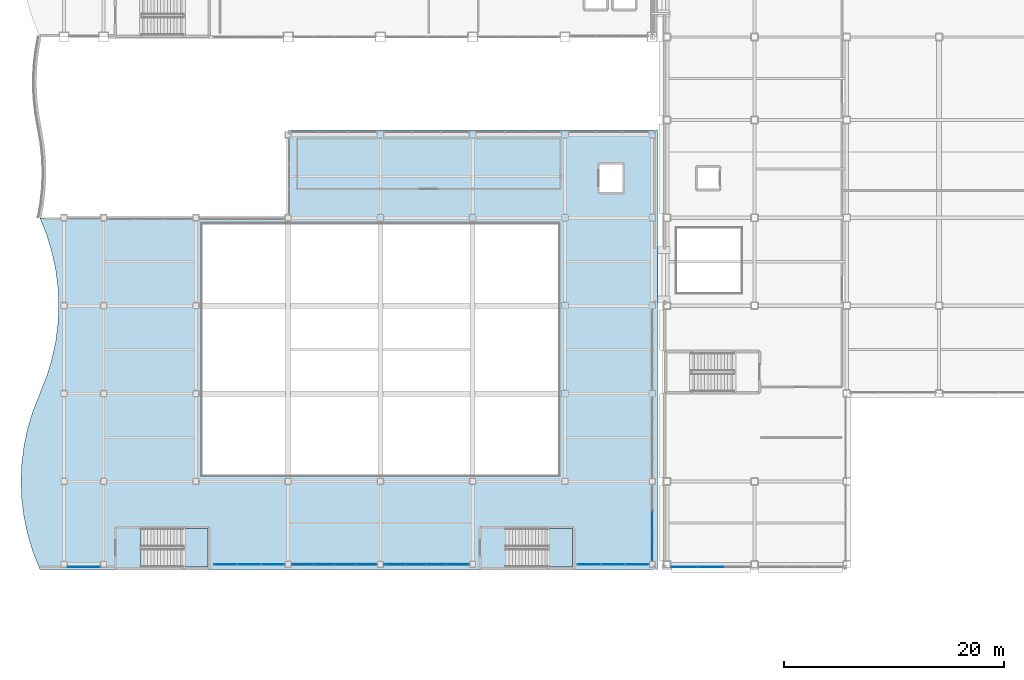
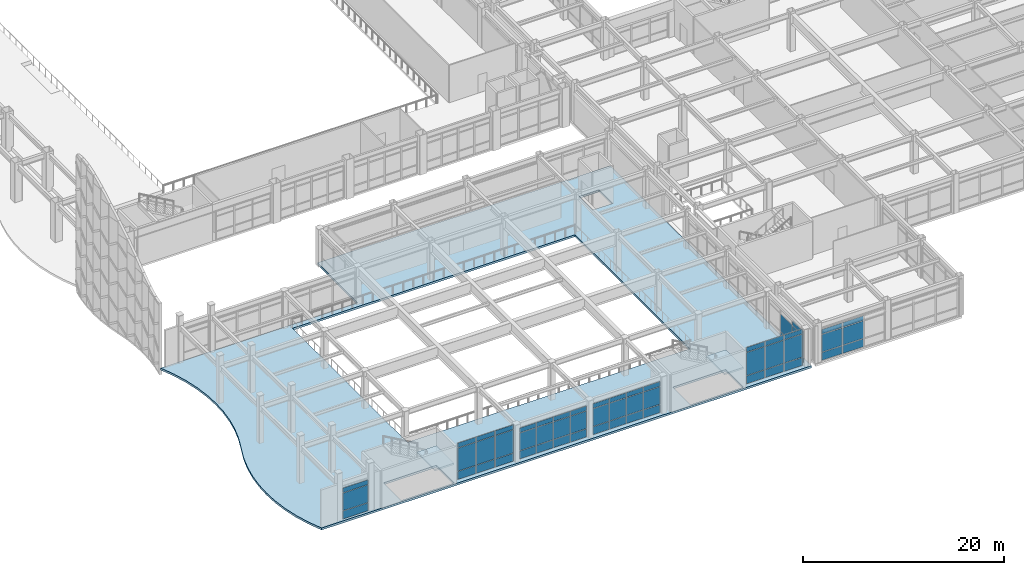
# One storey, part 123 of 172: 56 plates, 3 slabs, 9 elements without a shape of their own.
"""IFC4 building model written with IfcOpenShell, lengths in metres."""

from ifc_helpers import new_model, si_unit, direction, frame, origin, origin_2d, place, context, subcontext, project, spatial, polyline, rectangle, outline, extrude, material, layer, layer_set, type_object, element, aggregate, save


model = new_model("IFC4")

# Units and contexts
model_context = context("Model", 3, precision=1e-05, world=origin(), true_north=direction((0.0, 1.0)))
body_context = subcontext(model_context, "Body", "Model", "MODEL_VIEW")
ifc_project = project(units=[si_unit("LENGTHUNIT", "METRE"), si_unit("AREAUNIT", "SQUARE_METRE"), si_unit("VOLUMEUNIT", "CUBIC_METRE"), si_unit("PLANEANGLEUNIT", "RADIAN"), si_unit("MASSUNIT", "GRAM", prefix="KILO")], contexts=[model_context])

# Site, building, storey
site_placement = place(None, origin())
site = spatial("IfcSite", under=ifc_project, at=site_placement, CompositionType="ELEMENT")
building_placement = place(site_placement, origin())
building = spatial("IfcBuilding", under=site, at=building_placement, Name="Kazehara Bluff Congress Hotel", CompositionType="ELEMENT")
storey_placement = place(building_placement, frame((0.0, 0.0, 5.39990234375)))
storey = spatial("IfcBuildingStorey", under=building, at=storey_placement, Name="L01", CompositionType="ELEMENT", Elevation=5.39990234375)

# Curtain wall, plates
ifc_material_1 = material(Name="Anodised aluminium", Category="aluminium")
ifc_layer_1 = layer(ifc_material_1, 0.159912109375)
ifc_layer_set_1 = layer_set([ifc_layer_1], Name="Anodised aluminium")
curtain_wall_type_1 = type_object("IfcCurtainWallType", Name="TP-CW-29", PredefinedType="NOTDEFINED", material=ifc_layer_set_1)
curtain_wall_1_placement = place(storey_placement, origin())
curtain_wall_1 = element("IfcCurtainWall", 1, at=curtain_wall_1_placement, inside=storey, type_object=curtain_wall_type_1, Name="L01 curtain wall CW-29 CW-V2-L01-Y45-2550", PredefinedType="NOTDEFINED")
ifc_material_2 = material(Name="Insulated low-E double glazing", Category="glass")
ifc_layer_2 = layer(ifc_material_2, 0.028076171875)
ifc_layer_set_2 = layer_set([ifc_layer_2], Name="Insulated low-E double glazing")
plate_type_1 = type_object("IfcPlateType", Name="TP-CWP-01", PredefinedType="CURTAIN_PANEL", material=ifc_layer_set_2)
plate_1_placement = place(storey_placement, frame((26.4912109375, 0.449951171875, 0.06494140625), z_axis=(0.0, 0.0, 1.0), x_axis=(1.0, 0.0, 0.0)))
plate_1 = element("IfcPlate", 2, at=plate_1_placement, type_object=plate_type_1, Name="CW-29 panel 1.1", PredefinedType="CURTAIN_PANEL", context=body_context, shape_type="SweptSolid", body=[
    extrude(rectangle(XDim=1.8525390625, YDim=0.028076171875, at=origin_2d()), origin(), (0.0, 0.0, 1.0), 0.952392578125),
])
plate_2_placement = place(storey_placement, frame((26.4912109375, 0.449951171875, 1.08251953125), z_axis=(0.0, 0.0, 1.0), x_axis=(1.0, 0.0, 0.0)))
plate_2 = element("IfcPlate", 3, at=plate_2_placement, type_object=plate_type_1, Name="CW-29 panel 1.2", PredefinedType="CURTAIN_PANEL", context=body_context, shape_type="SweptSolid", body=[
    extrude(rectangle(XDim=1.8525390625, YDim=0.028076171875, at=origin_2d()), origin(), (0.0, 0.0, 1.0), 2.110107421875),
])
plate_3_placement = place(storey_placement, frame((26.4912109375, 0.449951171875, 3.2578125), z_axis=(0.0, 0.0, 1.0), x_axis=(1.0, 0.0, 0.0)))
plate_3 = element("IfcPlate", 4, at=plate_3_placement, type_object=plate_type_1, Name="CW-29 panel 1.3", PredefinedType="CURTAIN_PANEL", context=body_context, shape_type="SweptSolid", body=[
    extrude(rectangle(XDim=1.8525390625, YDim=0.028076171875, at=origin_2d()), origin(), (0.0, 0.0, 1.0), 0.552490234375),
])
plate_4_placement = place(storey_placement, frame((28.425048828125, 0.449951171875, 0.06494140625), z_axis=(0.0, 0.0, 1.0), x_axis=(1.0, 0.0, 0.0)))
plate_4 = element("IfcPlate", 5, at=plate_4_placement, type_object=plate_type_1, Name="CW-29 panel 2.1", PredefinedType="CURTAIN_PANEL", context=body_context, shape_type="SweptSolid", body=[
    extrude(rectangle(XDim=1.885009765625, YDim=0.028076171875, at=origin_2d()), origin(), (0.0, 0.0, 1.0), 0.952392578125),
])
plate_5_placement = place(storey_placement, frame((28.425048828125, 0.449951171875, 1.08251953125), z_axis=(0.0, 0.0, 1.0), x_axis=(1.0, 0.0, 0.0)))
plate_5 = element("IfcPlate", 6, at=plate_5_placement, type_object=plate_type_1, Name="CW-29 panel 2.2", PredefinedType="CURTAIN_PANEL", context=body_context, shape_type="SweptSolid", body=[
    extrude(rectangle(XDim=1.885009765625, YDim=0.028076171875, at=origin_2d()), origin(), (0.0, 0.0, 1.0), 2.110107421875),
])
plate_6_placement = place(storey_placement, frame((28.425048828125, 0.449951171875, 3.2578125), z_axis=(0.0, 0.0, 1.0), x_axis=(1.0, 0.0, 0.0)))
plate_6 = element("IfcPlate", 7, at=plate_6_placement, type_object=plate_type_1, Name="CW-29 panel 2.3", PredefinedType="CURTAIN_PANEL", context=body_context, shape_type="SweptSolid", body=[
    extrude(rectangle(XDim=1.885009765625, YDim=0.028076171875, at=origin_2d()), origin(), (0.0, 0.0, 1.0), 0.552490234375),
])
plate_7_placement = place(storey_placement, frame((30.375, 0.449951171875, 0.06494140625), z_axis=(0.0, 0.0, 1.0), x_axis=(1.0, 0.0, 0.0)))
plate_7 = element("IfcPlate", 8, at=plate_7_placement, type_object=plate_type_1, Name="CW-29 panel 3.1", PredefinedType="CURTAIN_PANEL", context=body_context, shape_type="SweptSolid", body=[
    extrude(rectangle(XDim=1.885009765625, YDim=0.028076171875, at=origin_2d()), origin(), (0.0, 0.0, 1.0), 0.952392578125),
])
plate_8_placement = place(storey_placement, frame((30.375, 0.449951171875, 1.08251953125), z_axis=(0.0, 0.0, 1.0), x_axis=(1.0, 0.0, 0.0)))
plate_8 = element("IfcPlate", 9, at=plate_8_placement, type_object=plate_type_1, Name="CW-29 panel 3.2", PredefinedType="CURTAIN_PANEL", context=body_context, shape_type="SweptSolid", body=[
    extrude(rectangle(XDim=1.885009765625, YDim=0.028076171875, at=origin_2d()), origin(), (0.0, 0.0, 1.0), 2.110107421875),
])
plate_9_placement = place(storey_placement, frame((30.375, 0.449951171875, 3.2578125), z_axis=(0.0, 0.0, 1.0), x_axis=(1.0, 0.0, 0.0)))
plate_9 = element("IfcPlate", 10, at=plate_9_placement, type_object=plate_type_1, Name="CW-29 panel 3.3", PredefinedType="CURTAIN_PANEL", context=body_context, shape_type="SweptSolid", body=[
    extrude(rectangle(XDim=1.885009765625, YDim=0.028076171875, at=origin_2d()), origin(), (0.0, 0.0, 1.0), 0.552490234375),
])
plate_10_placement = place(storey_placement, frame((32.308837890625, 0.449951171875, 0.06494140625), z_axis=(0.0, 0.0, 1.0), x_axis=(1.0, 0.0, 0.0)))
plate_10 = element("IfcPlate", 11, at=plate_10_placement, type_object=plate_type_1, Name="CW-29 panel 4.1", PredefinedType="CURTAIN_PANEL", context=body_context, shape_type="SweptSolid", body=[
    extrude(rectangle(XDim=1.8525390625, YDim=0.028076171875, at=origin_2d()), origin(), (0.0, 0.0, 1.0), 0.952392578125),
])
plate_11_placement = place(storey_placement, frame((32.308837890625, 0.449951171875, 1.08251953125), z_axis=(0.0, 0.0, 1.0), x_axis=(1.0, 0.0, 0.0)))
plate_11 = element("IfcPlate", 12, at=plate_11_placement, type_object=plate_type_1, Name="CW-29 panel 4.2", PredefinedType="CURTAIN_PANEL", context=body_context, shape_type="SweptSolid", body=[
    extrude(rectangle(XDim=1.8525390625, YDim=0.028076171875, at=origin_2d()), origin(), (0.0, 0.0, 1.0), 2.110107421875),
])
plate_12_placement = place(storey_placement, frame((32.308837890625, 0.449951171875, 3.2578125), z_axis=(0.0, 0.0, 1.0), x_axis=(1.0, 0.0, 0.0)))
plate_12 = element("IfcPlate", 13, at=plate_12_placement, type_object=plate_type_1, Name="CW-29 panel 4.3", PredefinedType="CURTAIN_PANEL", context=body_context, shape_type="SweptSolid", body=[
    extrude(rectangle(XDim=1.8525390625, YDim=0.028076171875, at=origin_2d()), origin(), (0.0, 0.0, 1.0), 0.552490234375),
])
aggregate(curtain_wall_1, [plate_1, plate_2, plate_3, plate_4, plate_5, plate_6, plate_7, plate_8, plate_9, plate_10, plate_11, plate_12])

curtain_wall_2_placement = place(storey_placement, origin())
curtain_wall_2 = element("IfcCurtainWall", 14, at=curtain_wall_2_placement, inside=storey, type_object=curtain_wall_type_1, Name="L01 curtain wall CW-29 CW-V2-L01-Y45-3390", PredefinedType="NOTDEFINED")
plate_13_placement = place(storey_placement, frame((34.891357421875, 0.449951171875, 0.06494140625), z_axis=(0.0, 0.0, 1.0), x_axis=(1.0, 0.0, 0.0)))
plate_13 = element("IfcPlate", 15, at=plate_13_placement, type_object=plate_type_1, Name="CW-29 panel 1.1", PredefinedType="CURTAIN_PANEL", context=body_context, shape_type="SweptSolid", body=[
    extrude(rectangle(XDim=1.8525390625, YDim=0.028076171875, at=origin_2d()), origin(), (0.0, 0.0, 1.0), 0.952392578125),
])
plate_14_placement = place(storey_placement, frame((34.891357421875, 0.449951171875, 1.08251953125), z_axis=(0.0, 0.0, 1.0), x_axis=(1.0, 0.0, 0.0)))
plate_14 = element("IfcPlate", 16, at=plate_14_placement, type_object=plate_type_1, Name="CW-29 panel 1.2", PredefinedType="CURTAIN_PANEL", context=body_context, shape_type="SweptSolid", body=[
    extrude(rectangle(XDim=1.8525390625, YDim=0.028076171875, at=origin_2d()), origin(), (0.0, 0.0, 1.0), 2.110107421875),
])
plate_15_placement = place(storey_placement, frame((34.891357421875, 0.449951171875, 3.2578125), z_axis=(0.0, 0.0, 1.0), x_axis=(1.0, 0.0, 0.0)))
plate_15 = element("IfcPlate", 17, at=plate_15_placement, type_object=plate_type_1, Name="CW-29 panel 1.3", PredefinedType="CURTAIN_PANEL", context=body_context, shape_type="SweptSolid", body=[
    extrude(rectangle(XDim=1.8525390625, YDim=0.028076171875, at=origin_2d()), origin(), (0.0, 0.0, 1.0), 0.552490234375),
])
plate_16_placement = place(storey_placement, frame((36.824951171875, 0.449951171875, 0.06494140625), z_axis=(0.0, 0.0, 1.0), x_axis=(1.0, 0.0, 0.0)))
plate_16 = element("IfcPlate", 18, at=plate_16_placement, type_object=plate_type_1, Name="CW-29 panel 2.1", PredefinedType="CURTAIN_PANEL", context=body_context, shape_type="SweptSolid", body=[
    extrude(rectangle(XDim=1.885009765625, YDim=0.028076171875, at=origin_2d()), origin(), (0.0, 0.0, 1.0), 0.952392578125),
])
plate_17_placement = place(storey_placement, frame((36.824951171875, 0.449951171875, 1.08251953125), z_axis=(0.0, 0.0, 1.0), x_axis=(1.0, 0.0, 0.0)))
plate_17 = element("IfcPlate", 19, at=plate_17_placement, type_object=plate_type_1, Name="CW-29 panel 2.2", PredefinedType="CURTAIN_PANEL", context=body_context, shape_type="SweptSolid", body=[
    extrude(rectangle(XDim=1.885009765625, YDim=0.028076171875, at=origin_2d()), origin(), (0.0, 0.0, 1.0), 2.110107421875),
])
plate_18_placement = place(storey_placement, frame((36.824951171875, 0.449951171875, 3.2578125), z_axis=(0.0, 0.0, 1.0), x_axis=(1.0, 0.0, 0.0)))
plate_18 = element("IfcPlate", 20, at=plate_18_placement, type_object=plate_type_1, Name="CW-29 panel 2.3", PredefinedType="CURTAIN_PANEL", context=body_context, shape_type="SweptSolid", body=[
    extrude(rectangle(XDim=1.885009765625, YDim=0.028076171875, at=origin_2d()), origin(), (0.0, 0.0, 1.0), 0.552490234375),
])
plate_19_placement = place(storey_placement, frame((38.77490234375, 0.449951171875, 0.06494140625), z_axis=(0.0, 0.0, 1.0), x_axis=(1.0, 0.0, 0.0)))
plate_19 = element("IfcPlate", 21, at=plate_19_placement, type_object=plate_type_1, Name="CW-29 panel 3.1", PredefinedType="CURTAIN_PANEL", context=body_context, shape_type="SweptSolid", body=[
    extrude(rectangle(XDim=1.885009765625, YDim=0.028076171875, at=origin_2d()), origin(), (0.0, 0.0, 1.0), 0.952392578125),
])
plate_20_placement = place(storey_placement, frame((38.77490234375, 0.449951171875, 1.08251953125), z_axis=(0.0, 0.0, 1.0), x_axis=(1.0, 0.0, 0.0)))
plate_20 = element("IfcPlate", 22, at=plate_20_placement, type_object=plate_type_1, Name="CW-29 panel 3.2", PredefinedType="CURTAIN_PANEL", context=body_context, shape_type="SweptSolid", body=[
    extrude(rectangle(XDim=1.885009765625, YDim=0.028076171875, at=origin_2d()), origin(), (0.0, 0.0, 1.0), 2.110107421875),
])
plate_21_placement = place(storey_placement, frame((38.77490234375, 0.449951171875, 3.2578125), z_axis=(0.0, 0.0, 1.0), x_axis=(1.0, 0.0, 0.0)))
plate_21 = element("IfcPlate", 23, at=plate_21_placement, type_object=plate_type_1, Name="CW-29 panel 3.3", PredefinedType="CURTAIN_PANEL", context=body_context, shape_type="SweptSolid", body=[
    extrude(rectangle(XDim=1.885009765625, YDim=0.028076171875, at=origin_2d()), origin(), (0.0, 0.0, 1.0), 0.552490234375),
])
plate_22_placement = place(storey_placement, frame((40.708740234375, 0.449951171875, 0.06494140625), z_axis=(0.0, 0.0, 1.0), x_axis=(1.0, 0.0, 0.0)))
plate_22 = element("IfcPlate", 24, at=plate_22_placement, type_object=plate_type_1, Name="CW-29 panel 4.1", PredefinedType="CURTAIN_PANEL", context=body_context, shape_type="SweptSolid", body=[
    extrude(rectangle(XDim=1.8525390625, YDim=0.028076171875, at=origin_2d()), origin(), (0.0, 0.0, 1.0), 0.952392578125),
])
plate_23_placement = place(storey_placement, frame((40.708740234375, 0.449951171875, 1.08251953125), z_axis=(0.0, 0.0, 1.0), x_axis=(1.0, 0.0, 0.0)))
plate_23 = element("IfcPlate", 25, at=plate_23_placement, type_object=plate_type_1, Name="CW-29 panel 4.2", PredefinedType="CURTAIN_PANEL", context=body_context, shape_type="SweptSolid", body=[
    extrude(rectangle(XDim=1.8525390625, YDim=0.028076171875, at=origin_2d()), origin(), (0.0, 0.0, 1.0), 2.110107421875),
])
plate_24_placement = place(storey_placement, frame((40.708740234375, 0.449951171875, 3.2578125), z_axis=(0.0, 0.0, 1.0), x_axis=(1.0, 0.0, 0.0)))
plate_24 = element("IfcPlate", 26, at=plate_24_placement, type_object=plate_type_1, Name="CW-29 panel 4.3", PredefinedType="CURTAIN_PANEL", context=body_context, shape_type="SweptSolid", body=[
    extrude(rectangle(XDim=1.8525390625, YDim=0.028076171875, at=origin_2d()), origin(), (0.0, 0.0, 1.0), 0.552490234375),
])
aggregate(curtain_wall_2, [plate_13, plate_14, plate_15, plate_16, plate_17, plate_18, plate_19, plate_20, plate_21, plate_22, plate_23, plate_24])

ifc_material_3 = material(Name="Anodised aluminium", Category="aluminium")
ifc_layer_3 = layer(ifc_material_3, 0.159912109375)
ifc_layer_set_3 = layer_set([ifc_layer_3], Name="Anodised aluminium")
curtain_wall_type_2 = type_object("IfcCurtainWallType", Name="TP-CW-33", PredefinedType="NOTDEFINED", material=ifc_layer_set_3)
curtain_wall_3_placement = place(storey_placement, origin())
curtain_wall_3 = element("IfcCurtainWall", 27, at=curtain_wall_3_placement, inside=storey, type_object=curtain_wall_type_2, Name="L01 curtain wall CW-33 CW-V2-L01-X5835-75", PredefinedType="NOTDEFINED")
plate_25_placement = place(storey_placement, frame((58.35009765625, 1.924560546875, 0.06494140625), z_axis=(0.0, 0.0, 1.0), x_axis=(0.0, 1.0, 0.0)))
plate_25 = element("IfcPlate", 28, at=plate_25_placement, type_object=plate_type_1, Name="CW-33 panel 1.1", PredefinedType="CURTAIN_PANEL", context=body_context, shape_type="SweptSolid", body=[
    extrude(rectangle(XDim=2.21923828125, YDim=0.028076171875, at=origin_2d()), origin(), (0.0, 0.0, 1.0), 0.952392578125),
])
plate_26_placement = place(storey_placement, frame((58.35009765625, 1.924560546875, 1.08251953125), z_axis=(0.0, 0.0, 1.0), x_axis=(0.0, 1.0, 0.0)))
plate_26 = element("IfcPlate", 29, at=plate_26_placement, type_object=plate_type_1, Name="CW-33 panel 1.2", PredefinedType="CURTAIN_PANEL", context=body_context, shape_type="SweptSolid", body=[
    extrude(rectangle(XDim=2.21923828125, YDim=0.028076171875, at=origin_2d()), origin(), (0.0, 0.0, 1.0), 2.110107421875),
])
plate_27_placement = place(storey_placement, frame((58.35009765625, 1.924560546875, 3.2578125), z_axis=(0.0, 0.0, 1.0), x_axis=(0.0, 1.0, 0.0)))
plate_27 = element("IfcPlate", 30, at=plate_27_placement, type_object=plate_type_1, Name="CW-33 panel 1.3", PredefinedType="CURTAIN_PANEL", context=body_context, shape_type="SweptSolid", body=[
    extrude(rectangle(XDim=2.21923828125, YDim=0.028076171875, at=origin_2d()), origin(), (0.0, 0.0, 1.0), 0.552490234375),
])
plate_28_placement = place(storey_placement, frame((58.35009765625, 4.22509765625, 0.06494140625), z_axis=(0.0, 0.0, 1.0), x_axis=(0.0, 1.0, 0.0)))
plate_28 = element("IfcPlate", 31, at=plate_28_placement, type_object=plate_type_1, Name="CW-33 panel 2.1", PredefinedType="CURTAIN_PANEL", context=body_context, shape_type="SweptSolid", body=[
    extrude(rectangle(XDim=2.251708984375, YDim=0.028076171875, at=origin_2d()), origin(), (0.0, 0.0, 1.0), 0.952392578125),
])
plate_29_placement = place(storey_placement, frame((58.35009765625, 4.22509765625, 1.08251953125), z_axis=(0.0, 0.0, 1.0), x_axis=(0.0, 1.0, 0.0)))
plate_29 = element("IfcPlate", 32, at=plate_29_placement, type_object=plate_type_1, Name="CW-33 panel 2.2", PredefinedType="CURTAIN_PANEL", context=body_context, shape_type="SweptSolid", body=[
    extrude(rectangle(XDim=2.251708984375, YDim=0.028076171875, at=origin_2d()), origin(), (0.0, 0.0, 1.0), 2.110107421875),
])
aggregate(curtain_wall_3, [plate_25, plate_26, plate_27, plate_28, plate_29])

ifc_material_4 = material(Name="Anodised aluminium", Category="aluminium")
ifc_layer_4 = layer(ifc_material_4, 0.159912109375)
ifc_layer_set_4 = layer_set([ifc_layer_4], Name="Anodised aluminium")
curtain_wall_type_3 = type_object("IfcCurtainWallType", Name="TP-CW-80", PredefinedType="NOTDEFINED", material=ifc_layer_set_4)
curtain_wall_4_placement = place(storey_placement, origin())
curtain_wall_4 = element("IfcCurtainWall", 33, at=curtain_wall_4_placement, inside=storey, type_object=curtain_wall_type_3, Name="L01 curtain wall CW-80 CW-ENC-V4-L01-6368-22", PredefinedType="NOTDEFINED")
plate_30_placement = place(storey_placement, frame((63.675048828125, 0.219970703125, 0.06494140625), z_axis=(0.0, 0.0, 1.0), x_axis=(-1.0, 0.0, 0.0)))
plate_30 = element("IfcPlate", 34, at=plate_30_placement, type_object=plate_type_1, Name="CW-80 panel 2.1", PredefinedType="CURTAIN_PANEL", context=body_context, shape_type="SweptSolid", body=[
    extrude(rectangle(XDim=2.368408203125, YDim=0.028076171875, at=origin_2d()), origin(), (0.0, 0.0, 1.0), 0.952392578125),
])
plate_31_placement = place(storey_placement, frame((63.675048828125, 0.219970703125, 1.08251953125), z_axis=(0.0, 0.0, 1.0), x_axis=(-1.0, 0.0, 0.0)))
plate_31 = element("IfcPlate", 35, at=plate_31_placement, type_object=plate_type_1, Name="CW-80 panel 2.2", PredefinedType="CURTAIN_PANEL", context=body_context, shape_type="SweptSolid", body=[
    extrude(rectangle(XDim=2.368408203125, YDim=0.028076171875, at=origin_2d()), origin(), (0.0, 0.0, 1.0), 2.110107421875),
])
plate_32_placement = place(storey_placement, frame((63.675048828125, 0.219970703125, 3.2578125), z_axis=(0.0, 0.0, 1.0), x_axis=(-1.0, 0.0, 0.0)))
plate_32 = element("IfcPlate", 36, at=plate_32_placement, type_object=plate_type_1, Name="CW-80 panel 2.3", PredefinedType="CURTAIN_PANEL", context=body_context, shape_type="SweptSolid", body=[
    extrude(rectangle(XDim=2.368408203125, YDim=0.028076171875, at=origin_2d()), origin(), (0.0, 0.0, 1.0), 0.552490234375),
])
plate_33_placement = place(storey_placement, frame((61.2578125, 0.219970703125, 0.06494140625), z_axis=(0.0, 0.0, 1.0), x_axis=(-1.0, 0.0, 0.0)))
plate_33 = element("IfcPlate", 37, at=plate_33_placement, type_object=plate_type_1, Name="CW-80 panel 3.1", PredefinedType="CURTAIN_PANEL", context=body_context, shape_type="SweptSolid", body=[
    extrude(rectangle(XDim=2.3359375, YDim=0.028076171875, at=origin_2d()), origin(), (0.0, 0.0, 1.0), 0.952392578125),
])
plate_34_placement = place(storey_placement, frame((61.2578125, 0.219970703125, 1.08251953125), z_axis=(0.0, 0.0, 1.0), x_axis=(-1.0, 0.0, 0.0)))
plate_34 = element("IfcPlate", 38, at=plate_34_placement, type_object=plate_type_1, Name="CW-80 panel 3.2", PredefinedType="CURTAIN_PANEL", context=body_context, shape_type="SweptSolid", body=[
    extrude(rectangle(XDim=2.3359375, YDim=0.028076171875, at=origin_2d()), origin(), (0.0, 0.0, 1.0), 2.110107421875),
])
plate_35_placement = place(storey_placement, frame((61.2578125, 0.219970703125, 3.2578125), z_axis=(0.0, 0.0, 1.0), x_axis=(-1.0, 0.0, 0.0)))
plate_35 = element("IfcPlate", 39, at=plate_35_placement, type_object=plate_type_1, Name="CW-80 panel 3.3", PredefinedType="CURTAIN_PANEL", context=body_context, shape_type="SweptSolid", body=[
    extrude(rectangle(XDim=2.3359375, YDim=0.028076171875, at=origin_2d()), origin(), (0.0, 0.0, 1.0), 0.552490234375),
])
aggregate(curtain_wall_4, [plate_30, plate_31, plate_32, plate_33, plate_34, plate_35])

ifc_material_5 = material(Name="Anodised aluminium", Category="aluminium")
ifc_layer_5 = layer(ifc_material_5, 0.159912109375)
ifc_layer_set_5 = layer_set([ifc_layer_5], Name="Anodised aluminium")
curtain_wall_type_4 = type_object("IfcCurtainWallType", Name="TP-CW-28", PredefinedType="NOTDEFINED", material=ifc_layer_set_5)
curtain_wall_5_placement = place(storey_placement, origin())
curtain_wall_5 = element("IfcCurtainWall", 40, at=curtain_wall_5_placement, inside=storey, type_object=curtain_wall_type_4, Name="L01 curtain wall CW-28 CW-V2-L01-Y45-1840", PredefinedType="NOTDEFINED")
ifc_material_6 = material(Name="Insulated low-E double glazing", Category="glass")
ifc_layer_6 = layer(ifc_material_6, 0.031982421875)
ifc_layer_set_6 = layer_set([ifc_layer_6], Name="Insulated low-E double glazing")
plate_type_2 = type_object("IfcPlateType", Name="TP-CWP-02", PredefinedType="CURTAIN_PANEL", material=ifc_layer_set_6)
plate_36_placement = place(storey_placement, frame((19.500732421875, 0.449951171875, 0.06005859375), z_axis=(0.0, 0.0, 1.0), x_axis=(1.0, 0.0, 0.0)))
plate_36 = element("IfcPlate", 41, at=plate_36_placement, type_object=plate_type_2, Name="CW-28 panel 1.1", PredefinedType="CURTAIN_PANEL", context=body_context, shape_type="SweptSolid", body=[
    extrude(rectangle(XDim=2.061767578125, YDim=0.031982421875, at=origin_2d()), origin(), (0.0, 0.0, 1.0), 0.9599609375),
])
plate_37_placement = place(storey_placement, frame((19.500732421875, 0.449951171875, 1.080078125), z_axis=(0.0, 0.0, 1.0), x_axis=(1.0, 0.0, 0.0)))
plate_37 = element("IfcPlate", 42, at=plate_37_placement, type_object=plate_type_2, Name="CW-28 panel 1.2", PredefinedType="CURTAIN_PANEL", context=body_context, shape_type="SweptSolid", body=[
    extrude(rectangle(XDim=2.061767578125, YDim=0.031982421875, at=origin_2d()), origin(), (0.0, 0.0, 1.0), 2.77490234375),
])
plate_38_placement = place(storey_placement, frame((19.500732421875, 0.449951171875, 3.9150390625), z_axis=(0.0, 0.0, 1.0), x_axis=(1.0, 0.0, 0.0)))
plate_38 = element("IfcPlate", 43, at=plate_38_placement, type_object=plate_type_2, Name="CW-28 panel 1.3", PredefinedType="CURTAIN_PANEL", context=body_context, shape_type="SweptSolid", body=[
    extrude(rectangle(XDim=2.061767578125, YDim=0.031982421875, at=origin_2d()), origin(), (0.0, 0.0, 1.0), 0.56005859375),
])
plate_39_placement = place(storey_placement, frame((21.64990234375, 0.449951171875, 0.06005859375), z_axis=(0.0, 0.0, 1.0), x_axis=(1.0, 0.0, 0.0)))
plate_39 = element("IfcPlate", 44, at=plate_39_placement, type_object=plate_type_2, Name="CW-28 panel 2.1", PredefinedType="CURTAIN_PANEL", context=body_context, shape_type="SweptSolid", body=[
    extrude(rectangle(XDim=2.0966796875, YDim=0.031982421875, at=origin_2d()), origin(), (0.0, 0.0, 1.0), 0.9599609375),
])
plate_40_placement = place(storey_placement, frame((21.64990234375, 0.449951171875, 1.080078125), z_axis=(0.0, 0.0, 1.0), x_axis=(1.0, 0.0, 0.0)))
plate_40 = element("IfcPlate", 45, at=plate_40_placement, type_object=plate_type_2, Name="CW-28 panel 2.2", PredefinedType="CURTAIN_PANEL", context=body_context, shape_type="SweptSolid", body=[
    extrude(rectangle(XDim=2.0966796875, YDim=0.031982421875, at=origin_2d()), origin(), (0.0, 0.0, 1.0), 2.77490234375),
])
plate_41_placement = place(storey_placement, frame((21.64990234375, 0.449951171875, 3.9150390625), z_axis=(0.0, 0.0, 1.0), x_axis=(1.0, 0.0, 0.0)))
plate_41 = element("IfcPlate", 46, at=plate_41_placement, type_object=plate_type_2, Name="CW-28 panel 2.3", PredefinedType="CURTAIN_PANEL", context=body_context, shape_type="SweptSolid", body=[
    extrude(rectangle(XDim=2.0966796875, YDim=0.031982421875, at=origin_2d()), origin(), (0.0, 0.0, 1.0), 0.56005859375),
])
plate_42_placement = place(storey_placement, frame((23.799072265625, 0.449951171875, 0.06005859375), z_axis=(0.0, 0.0, 1.0), x_axis=(1.0, 0.0, 0.0)))
plate_42 = element("IfcPlate", 47, at=plate_42_placement, type_object=plate_type_2, Name="CW-28 panel 3.1", PredefinedType="CURTAIN_PANEL", context=body_context, shape_type="SweptSolid", body=[
    extrude(rectangle(XDim=2.061767578125, YDim=0.031982421875, at=origin_2d()), origin(), (0.0, 0.0, 1.0), 0.9599609375),
])
plate_43_placement = place(storey_placement, frame((23.799072265625, 0.449951171875, 1.080078125), z_axis=(0.0, 0.0, 1.0), x_axis=(1.0, 0.0, 0.0)))
plate_43 = element("IfcPlate", 48, at=plate_43_placement, type_object=plate_type_2, Name="CW-28 panel 3.2", PredefinedType="CURTAIN_PANEL", context=body_context, shape_type="SweptSolid", body=[
    extrude(rectangle(XDim=2.061767578125, YDim=0.031982421875, at=origin_2d()), origin(), (0.0, 0.0, 1.0), 2.77490234375),
])
plate_44_placement = place(storey_placement, frame((23.799072265625, 0.449951171875, 3.9150390625), z_axis=(0.0, 0.0, 1.0), x_axis=(1.0, 0.0, 0.0)))
plate_44 = element("IfcPlate", 49, at=plate_44_placement, type_object=plate_type_2, Name="CW-28 panel 3.3", PredefinedType="CURTAIN_PANEL", context=body_context, shape_type="SweptSolid", body=[
    extrude(rectangle(XDim=2.061767578125, YDim=0.031982421875, at=origin_2d()), origin(), (0.0, 0.0, 1.0), 0.56005859375),
])
aggregate(curtain_wall_5, [plate_36, plate_37, plate_38, plate_39, plate_40, plate_41, plate_42, plate_43, plate_44])

ifc_material_7 = material(Name="Anodised aluminium", Category="aluminium")
ifc_layer_7 = layer(ifc_material_7, 0.159912109375)
ifc_layer_set_7 = layer_set([ifc_layer_7], Name="Anodised aluminium")
curtain_wall_type_5 = type_object("IfcCurtainWallType", Name="TP-CW-30", PredefinedType="NOTDEFINED", material=ifc_layer_set_7)
curtain_wall_6_placement = place(storey_placement, origin())
curtain_wall_6 = element("IfcCurtainWall", 50, at=curtain_wall_6_placement, inside=storey, type_object=curtain_wall_type_5, Name="L01 curtain wall CW-30 CW-V2-L01-Y45-5150", PredefinedType="NOTDEFINED")
plate_45_placement = place(storey_placement, frame((52.609130859375, 0.449951171875, 0.06494140625), z_axis=(0.0, 0.0, 1.0), x_axis=(1.0, 0.0, 0.0)))
plate_45 = element("IfcPlate", 51, at=plate_45_placement, type_object=plate_type_2, Name="CW-30 panel 1.1", PredefinedType="CURTAIN_PANEL", context=body_context, shape_type="SweptSolid", body=[
    extrude(rectangle(XDim=2.078369140625, YDim=0.031982421875, at=origin_2d()), origin(), (0.0, 0.0, 1.0), 0.952392578125),
])
plate_46_placement = place(storey_placement, frame((52.609130859375, 0.449951171875, 1.08251953125), z_axis=(0.0, 0.0, 1.0), x_axis=(1.0, 0.0, 0.0)))
plate_46 = element("IfcPlate", 52, at=plate_46_placement, type_object=plate_type_2, Name="CW-30 panel 1.2", PredefinedType="CURTAIN_PANEL", context=body_context, shape_type="SweptSolid", body=[
    extrude(rectangle(XDim=2.078369140625, YDim=0.031982421875, at=origin_2d()), origin(), (0.0, 0.0, 1.0), 2.77001953125),
])
plate_47_placement = place(storey_placement, frame((52.609130859375, 0.449951171875, 3.91748046875), z_axis=(0.0, 0.0, 1.0), x_axis=(1.0, 0.0, 0.0)))
plate_47 = element("IfcPlate", 53, at=plate_47_placement, type_object=plate_type_2, Name="CW-30 panel 1.3", PredefinedType="CURTAIN_PANEL", context=body_context, shape_type="SweptSolid", body=[
    extrude(rectangle(XDim=2.078369140625, YDim=0.031982421875, at=origin_2d()), origin(), (0.0, 0.0, 1.0), 0.552490234375),
])
plate_48_placement = place(storey_placement, frame((54.77490234375, 0.449951171875, 0.06494140625), z_axis=(0.0, 0.0, 1.0), x_axis=(1.0, 0.0, 0.0)))
plate_48 = element("IfcPlate", 54, at=plate_48_placement, type_object=plate_type_2, Name="CW-30 panel 2.1", PredefinedType="CURTAIN_PANEL", context=body_context, shape_type="SweptSolid", body=[
    extrude(rectangle(XDim=2.11328125, YDim=0.031982421875, at=origin_2d()), origin(), (0.0, 0.0, 1.0), 0.952392578125),
])
plate_49_placement = place(storey_placement, frame((54.77490234375, 0.449951171875, 1.08251953125), z_axis=(0.0, 0.0, 1.0), x_axis=(1.0, 0.0, 0.0)))
plate_49 = element("IfcPlate", 55, at=plate_49_placement, type_object=plate_type_2, Name="CW-30 panel 2.2", PredefinedType="CURTAIN_PANEL", context=body_context, shape_type="SweptSolid", body=[
    extrude(rectangle(XDim=2.11328125, YDim=0.031982421875, at=origin_2d()), origin(), (0.0, 0.0, 1.0), 2.77001953125),
])
plate_50_placement = place(storey_placement, frame((54.77490234375, 0.449951171875, 3.91748046875), z_axis=(0.0, 0.0, 1.0), x_axis=(1.0, 0.0, 0.0)))
plate_50 = element("IfcPlate", 56, at=plate_50_placement, type_object=plate_type_2, Name="CW-30 panel 2.3", PredefinedType="CURTAIN_PANEL", context=body_context, shape_type="SweptSolid", body=[
    extrude(rectangle(XDim=2.11328125, YDim=0.031982421875, at=origin_2d()), origin(), (0.0, 0.0, 1.0), 0.552490234375),
])
plate_51_placement = place(storey_placement, frame((56.94091796875, 0.449951171875, 0.06494140625), z_axis=(0.0, 0.0, 1.0), x_axis=(1.0, 0.0, 0.0)))
plate_51 = element("IfcPlate", 57, at=plate_51_placement, type_object=plate_type_2, Name="CW-30 panel 3.1", PredefinedType="CURTAIN_PANEL", context=body_context, shape_type="SweptSolid", body=[
    extrude(rectangle(XDim=2.078369140625, YDim=0.031982421875, at=origin_2d()), origin(), (0.0, 0.0, 1.0), 0.952392578125),
])
plate_52_placement = place(storey_placement, frame((56.94091796875, 0.449951171875, 1.08251953125), z_axis=(0.0, 0.0, 1.0), x_axis=(1.0, 0.0, 0.0)))
plate_52 = element("IfcPlate", 58, at=plate_52_placement, type_object=plate_type_2, Name="CW-30 panel 3.2", PredefinedType="CURTAIN_PANEL", context=body_context, shape_type="SweptSolid", body=[
    extrude(rectangle(XDim=2.078369140625, YDim=0.031982421875, at=origin_2d()), origin(), (0.0, 0.0, 1.0), 2.77001953125),
])
plate_53_placement = place(storey_placement, frame((56.94091796875, 0.449951171875, 3.91748046875), z_axis=(0.0, 0.0, 1.0), x_axis=(1.0, 0.0, 0.0)))
plate_53 = element("IfcPlate", 59, at=plate_53_placement, type_object=plate_type_2, Name="CW-30 panel 3.3", PredefinedType="CURTAIN_PANEL", context=body_context, shape_type="SweptSolid", body=[
    extrude(rectangle(XDim=2.078369140625, YDim=0.031982421875, at=origin_2d()), origin(), (0.0, 0.0, 1.0), 0.552490234375),
])
aggregate(curtain_wall_6, [plate_45, plate_46, plate_47, plate_48, plate_49, plate_50, plate_51, plate_52, plate_53])

ifc_material_8 = material(Name="Anodised aluminium", Category="aluminium")
ifc_layer_8 = layer(ifc_material_8, 0.159912109375)
ifc_layer_set_8 = layer_set([ifc_layer_8], Name="Anodised aluminium")
curtain_wall_type_6 = type_object("IfcCurtainWallType", Name="TP-CW-110", PredefinedType="NOTDEFINED", material=ifc_layer_set_8)
curtain_wall_7_placement = place(storey_placement, origin())
curtain_wall_7 = element("IfcCurtainWall", 60, at=curtain_wall_7_placement, inside=storey, type_object=curtain_wall_type_6, Name="L01 curtain wall CW-110 CW-ENC-V2-L01-660-22", PredefinedType="NOTDEFINED")
ifc_material_9 = material(Name="Insulated low-E double glazing", Category="glass")
ifc_layer_9 = layer(ifc_material_9, 0.02001953125)
ifc_layer_set_9 = layer_set([ifc_layer_9], Name="Insulated low-E double glazing")
plate_type_3 = type_object("IfcPlateType", Name="TP-CWP-03", PredefinedType="CURTAIN_PANEL", material=ifc_layer_set_9)
plate_54_placement = place(storey_placement, frame((6.60009765625, 0.219970703125, 0.06005859375), z_axis=(0.0, 0.0, 1.0), x_axis=(-1.0, 0.0, 0.0)))
plate_54 = element("IfcPlate", 61, at=plate_54_placement, type_object=plate_type_3, Name="CW-110 panel 1.1", PredefinedType="CURTAIN_PANEL", context=body_context, shape_type="SweptSolid", body=[
    extrude(rectangle(XDim=2.8798828125, YDim=0.02001953125, at=origin_2d()), origin(), (0.0, 0.0, 1.0), 0.9599609375),
])
plate_55_placement = place(storey_placement, frame((6.60009765625, 0.219970703125, 1.080078125), z_axis=(0.0, 0.0, 1.0), x_axis=(-1.0, 0.0, 0.0)))
plate_55 = element("IfcPlate", 62, at=plate_55_placement, type_object=plate_type_3, Name="CW-110 panel 1.2", PredefinedType="CURTAIN_PANEL", context=body_context, shape_type="SweptSolid", body=[
    extrude(rectangle(XDim=2.8798828125, YDim=0.02001953125, at=origin_2d()), origin(), (0.0, 0.0, 1.0), 2.114990234375),
])
plate_56_placement = place(storey_placement, frame((6.60009765625, 0.219970703125, 3.255126953125), z_axis=(0.0, 0.0, 1.0), x_axis=(-1.0, 0.0, 0.0)))
plate_56 = element("IfcPlate", 63, at=plate_56_placement, type_object=plate_type_3, Name="CW-110 panel 1.3", PredefinedType="CURTAIN_PANEL", context=body_context, shape_type="SweptSolid", body=[
    extrude(rectangle(XDim=2.8798828125, YDim=0.02001953125, at=origin_2d()), origin(), (0.0, 0.0, 1.0), 0.56005859375),
])
aggregate(curtain_wall_7, [plate_54, plate_55, plate_56])

# Slab
ifc_material_10 = material(Name="Concrete C36/45", Category="concrete")
ifc_layer_10 = layer(ifc_material_10, 0.25)
ifc_layer_set_10 = layer_set([ifc_layer_10], Name="Concrete C36/45")
slab_type_1 = type_object("IfcSlabType", Name="TP-SL-250", PredefinedType="FLOOR", material=ifc_layer_set_10)
slab_1_placement = place(storey_placement, frame((0.0, 0.0, -0.25)))
element("IfcSlab", 64, at=slab_1_placement, inside=storey, type_object=slab_type_1, Name="L01 V2 composite floor slab", PredefinedType="FLOOR", context=body_context, shape_type="SweptSolid", body=[
    extrude(outline(polyline([(58.800048828125, 0.0), (58.800048828125, 40.0), (25.199951171875, 40.0), (25.199951171875, 32.0), (2.60009765625, 32.0), (3.235107421875, 30.39990234375), (3.715087890625, 28.800048828125), (4.050048828125, 27.199951171875), (4.25, 25.60009765625), (4.31494140625, 24.0), (4.25, 22.39990234375), (4.050048828125, 20.800048828125), (3.715087890625, 19.199951171875), (3.235107421875, 17.60009765625), (2.60009765625, 16.0), (1.965087890625, 14.39990234375), (1.485107421875, 12.800048828125), (1.14990234375, 11.199951171875), (0.949951171875, 9.60009765625), (0.885009765625, 8.0), (0.949951171875, 6.39990234375), (1.14990234375, 4.800048828125), (1.485107421875, 3.199951171875), (1.965087890625, 1.60009765625), (2.60009765625, 0.0), (58.800048828125, 0.0)]), holes=[polyline([(11.824951171875, 0.199951171875), (17.89990234375, 0.199951171875), (17.89990234375, 3.699951171875), (11.824951171875, 3.699951171875), (11.824951171875, 0.199951171875)]), polyline([(45.02490234375, 0.199951171875), (51.10009765625, 0.199951171875), (51.10009765625, 3.699951171875), (45.02490234375, 3.699951171875), (45.02490234375, 0.199951171875)]), polyline([(53.449951171875, 34.25), (55.75, 34.25), (55.75, 36.949951171875), (53.449951171875, 36.949951171875), (53.449951171875, 34.25)]), polyline([(17.39990234375, 8.60009765625), (49.800048828125, 8.60009765625), (49.800048828125, 31.39990234375), (17.39990234375, 31.39990234375), (17.39990234375, 8.60009765625)])]), origin(), (0.0, 0.0, 1.0), 0.25),
])

# Stair, slab
ifc_material_11 = material(Name="Concrete C36/45", Category="concrete")
stair_type = type_object("IfcStairType", Name="TP-ST-T02", PredefinedType="HALF_TURN_STAIR", material=ifc_material_11)
stair_1_placement = place(storey_placement, origin())
stair_1 = element("IfcStair", 65, at=stair_1_placement, inside=storey, type_object=stair_type, Name="L01 Escape stair ST-04", PredefinedType="HALF_TURN_STAIR")
ifc_material_12 = material(Name="Concrete C36/45", Category="concrete")
ifc_layer_11 = layer(ifc_material_12, 0.199951171875)
ifc_layer_set_11 = layer_set([ifc_layer_11], Name="Concrete C36/45")
slab_type_2 = type_object("IfcSlabType", Name="TP-SLD-200", PredefinedType="LANDING", material=ifc_layer_set_11)
slab_2_placement = place(storey_placement, frame((0.0, 0.0, 2.2001953125)))
slab_2 = element("IfcSlab", 66, at=slab_2_placement, type_object=slab_type_2, Name="ST-04 landing 1", PredefinedType="LANDING", context=body_context, shape_type="SweptSolid", body=[
    extrude(outline(polyline([(15.699951171875, 0.199951171875), (17.89990234375, 0.199951171875), (17.89990234375, 3.699951171875), (15.699951171875, 3.699951171875), (15.699951171875, 0.199951171875)])), origin(), (0.0, 0.0, 1.0), 0.199951171875),
])
aggregate(stair_1, [slab_2])

stair_2_placement = place(storey_placement, origin())
stair_2 = element("IfcStair", 67, at=stair_2_placement, inside=storey, type_object=stair_type, Name="L01 Escape stair ST-05", PredefinedType="HALF_TURN_STAIR")
slab_3_placement = place(storey_placement, frame((0.0, 0.0, 2.2001953125)))
slab_3 = element("IfcSlab", 68, at=slab_3_placement, type_object=slab_type_2, Name="ST-05 landing 1", PredefinedType="LANDING", context=body_context, shape_type="SweptSolid", body=[
    extrude(outline(polyline([(48.89990234375, 0.199951171875), (51.10009765625, 0.199951171875), (51.10009765625, 3.699951171875), (48.89990234375, 3.699951171875), (48.89990234375, 0.199951171875)])), origin(), (0.0, 0.0, 1.0), 0.199951171875),
])
aggregate(stair_2, [slab_3])

save(model, "model.ifc")
